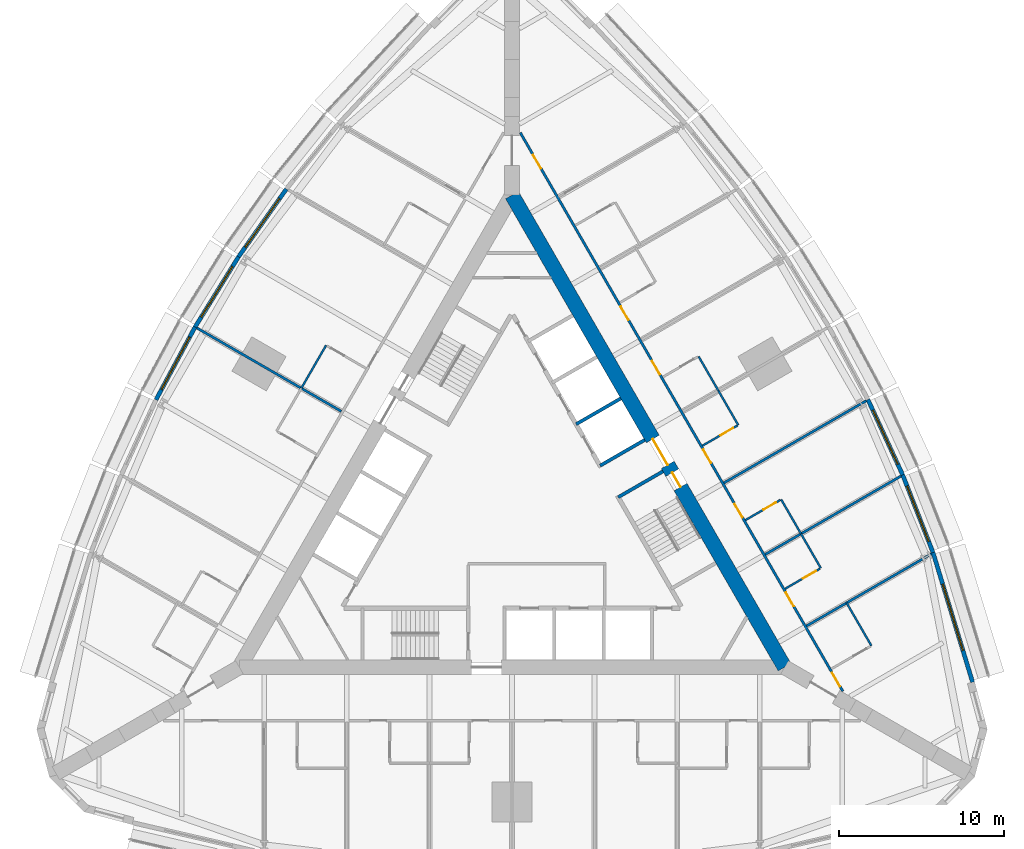
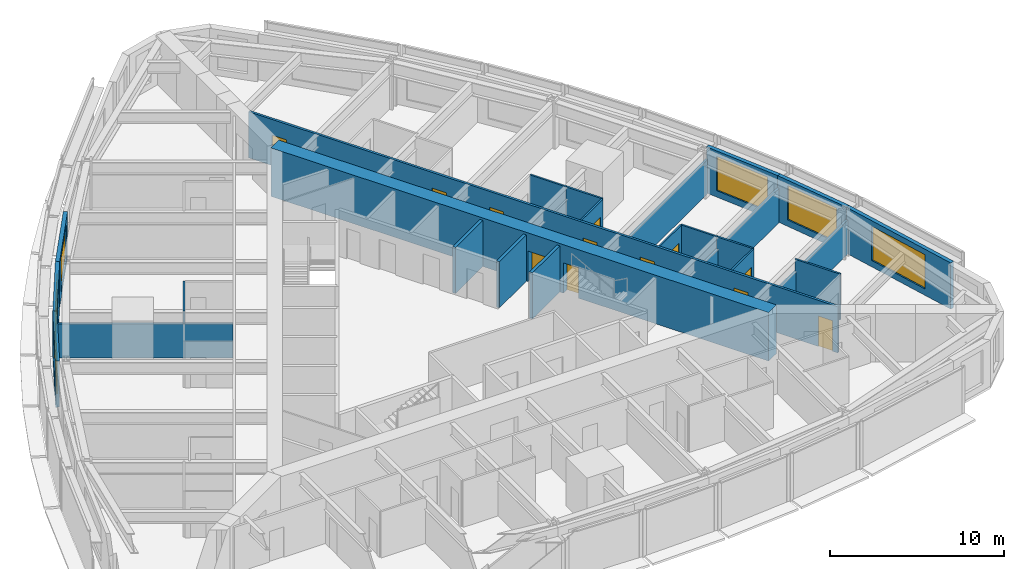
# One storey, part 11 of 14: 24 walls, 12 doors, 6 windows, 18 openings.
"""IFC4 building model written with IfcOpenShell, lengths in metres."""

from ifc_helpers import new_model, si_unit, direction, frame, frame_2d, origin, place, context, subcontext, project, spatial, rectangle, extrude, material, layer, layer_set, type_object, element, fill, save


model = new_model("IFC4")

# Units and contexts
model_context = context("Model", 3, precision=1e-05, world=origin(), true_north=direction((0.0, 1.0)))
body_context = subcontext(model_context, "Body", "Model", "MODEL_VIEW")
ifc_project = project(units=[si_unit("LENGTHUNIT", "METRE"), si_unit("AREAUNIT", "SQUARE_METRE"), si_unit("VOLUMEUNIT", "CUBIC_METRE"), si_unit("PLANEANGLEUNIT", "RADIAN"), si_unit("MASSUNIT", "GRAM", prefix="KILO")], contexts=[model_context])

# Site, building, storey
site_placement = place(None, origin())
site = spatial("IfcSite", under=ifc_project, at=site_placement, CompositionType="ELEMENT")
building_placement = place(site_placement, origin())
building = spatial("IfcBuilding", under=site, at=building_placement, Name="Trikona Tower", CompositionType="ELEMENT")
storey_placement = place(building_placement, frame((0.0, 0.0, 35.300048828125)))
storey = spatial("IfcBuildingStorey", under=building, at=storey_placement, Name="L07", CompositionType="ELEMENT", Elevation=35.300048828125)

# Walls
ifc_material_1 = material(Name="Metal stud and cement board", Category="gypsum")
ifc_layer_1 = layer(ifc_material_1, 0.1201171875)
ifc_layer_set_1 = layer_set([ifc_layer_1], Name="Bathroom wall 120")
wall_type_1 = type_object("IfcWallType", Name="Bathroom wall 120", PredefinedType="PLUMBINGWALL", material=ifc_layer_set_1)
wall_1_placement = place(storey_placement, frame((21.75341796875, -8.225341796875, 0.0), z_axis=(0.0, 0.0, 1.0), x_axis=(-0.499990139034, 0.866031096941, 0.0)))
element("IfcWall", 1, at=wall_1_placement, inside=storey, type_object=wall_type_1, Name="Bathroom wall 0707", PredefinedType="PLUMBINGWALL", context=body_context, shape_type="SweptSolid", body=[
    extrude(rectangle(XDim=3.0, YDim=0.1201171875, at=frame_2d((1.5, 0.0))), origin(), (0.0, 0.0, 1.0), 3.23486328125),
])
wall_2_placement = place(storey_placement, frame((18.693603515625, -3.525634765625, 0.0), z_axis=(0.0, 0.0, 1.0), x_axis=(-0.500033551112, 0.866006032174, 0.0)))
element("IfcWall", 2, at=wall_2_placement, inside=storey, type_object=wall_type_1, Name="Bathroom wall 0708", PredefinedType="PLUMBINGWALL", context=body_context, shape_type="SweptSolid", body=[
    extrude(rectangle(XDim=2.400146484375, YDim=0.1201171875, at=frame_2d((1.2001953125, 0.0))), origin(), (0.0, 0.0, 1.0), 3.23486328125),
])

# Wall, opening, door
wall_3_placement = place(storey_placement, frame((16.528564453125, -4.775634765625, 0.0), z_axis=(0.0, 0.0, 1.0), x_axis=(0.866023955769, 0.500002508028, 0.0)))
wall_3 = element("IfcWall", 3, at=wall_3_placement, inside=storey, type_object=wall_type_1, Name="Bathroom wall 0708", PredefinedType="PLUMBINGWALL", context=body_context, shape_type="SweptSolid", body=[
    extrude(rectangle(XDim=2.43994140625, YDim=0.1201171875, at=frame_2d((1.219970703125, 0.0))), origin(), (0.0, 0.0, 1.0), 3.23486328125),
])
opening_1_placement = place(wall_3_placement, frame((1.25, 0.0, 0.0)))
opening_1 = element("IfcOpeningElement", 4, at=opening_1_placement, cuts=wall_3, Name="Opening D2", PredefinedType="OPENING", context=body_context, shape_type="SweptSolid", body=[
    extrude(rectangle(XDim=0.89990234375, YDim=2.1298828125, at=frame_2d((0.449951171875, 1.06494140625))), frame((0.0, 0.070068359375, 0.0), z_axis=(0.0, -1.0, 0.0), x_axis=(1.0, 0.0, 0.0)), (0.0, 0.0, 1.0), 0.14013671875),
])
ifc_material_2 = material(Name="Steel door frame with solid-core timber leaf", Category="steel")
door_type_1 = type_object("IfcDoorType", Name="Bathroom door 900x2130", OperationType="SLIDING_TO_LEFT", PredefinedType="DOOR", material=ifc_material_2)
door_1_placement = place(opening_1_placement, origin())
door_1 = element("IfcDoor", 5, at=door_1_placement, inside=storey, type_object=door_type_1, Name="Bathroom door 0708", OperationType="SLIDING_TO_LEFT", OverallHeight=2.1298828125, OverallWidth=0.89990234375, PredefinedType="DOOR", context=body_context, shape_type="SweptSolid", body=[
    extrude(rectangle(XDim=0.89990234375, YDim=2.1298828125, at=frame_2d((0.449951171875, 1.06494140625))), frame((0.0, 0.02490234375, 0.0), z_axis=(0.0, -1.0, 0.0), x_axis=(1.0, 0.0, 0.0)), (0.0, 0.0, 1.0), 0.050048828125),
])
fill(opening_1, door_1)

# Wall
wall_4_placement = place(storey_placement, frame((17.493408203125, -1.447021484375, 0.0), z_axis=(0.0, 0.0, 1.0), x_axis=(-0.500001309137, 0.866024647952, 0.0)))
element("IfcWall", 6, at=wall_4_placement, inside=storey, type_object=wall_type_1, Name="Bathroom wall 0709", PredefinedType="PLUMBINGWALL", context=body_context, shape_type="SweptSolid", body=[
    extrude(rectangle(XDim=2.39990234375, YDim=0.1201171875, at=frame_2d((1.199951171875, 0.0))), origin(), (0.0, 0.0, 1.0), 3.23486328125),
])

# Wall, opening, door
wall_5_placement = place(storey_placement, frame((14.12841796875, -0.61865234375, 0.0), z_axis=(0.0, 0.0, 1.0), x_axis=(0.866048967903, 0.499959183527, 0.0)))
wall_5 = element("IfcWall", 7, at=wall_5_placement, inside=storey, type_object=wall_type_1, Name="Bathroom wall 0709", PredefinedType="PLUMBINGWALL", context=body_context, shape_type="SweptSolid", body=[
    extrude(rectangle(XDim=2.440185546875, YDim=0.1201171875, at=frame_2d((1.22021484375, 0.0))), origin(), (0.0, 0.0, 1.0), 3.23486328125),
])
opening_2_placement = place(wall_5_placement, frame((1.25, 0.0, 0.0)))
opening_2 = element("IfcOpeningElement", 8, at=opening_2_placement, cuts=wall_5, Name="Opening D2", PredefinedType="OPENING", context=body_context, shape_type="SweptSolid", body=[
    extrude(rectangle(XDim=0.89990234375, YDim=2.1298828125, at=frame_2d((0.449951171875, 1.06494140625))), frame((0.0, 0.070068359375, 0.0), z_axis=(0.0, -1.0, 0.0), x_axis=(1.0, 0.0, 0.0)), (0.0, 0.0, 1.0), 0.14013671875),
])
door_2_placement = place(opening_2_placement, origin())
door_2 = element("IfcDoor", 9, at=door_2_placement, inside=storey, type_object=door_type_1, Name="Bathroom door 0709", OperationType="SLIDING_TO_LEFT", OverallHeight=2.1298828125, OverallWidth=0.89990234375, PredefinedType="DOOR", context=body_context, shape_type="SweptSolid", body=[
    extrude(rectangle(XDim=0.89990234375, YDim=2.1298828125, at=frame_2d((0.449951171875, 1.06494140625))), frame((0.0, 0.02490234375, 0.0), z_axis=(0.0, -1.0, 0.0), x_axis=(1.0, 0.0, 0.0)), (0.0, 0.0, 1.0), 0.050048828125),
])
fill(opening_2, door_2)

# Wall
wall_6_placement = place(storey_placement, frame((13.693603515625, 5.134765625, 0.0), z_axis=(0.0, 0.0, 1.0), x_axis=(-0.500077600433, 0.865980596518, 0.0)))
element("IfcWall", 10, at=wall_6_placement, inside=storey, type_object=wall_type_1, Name="Bathroom wall 0710", PredefinedType="PLUMBINGWALL", context=body_context, shape_type="SweptSolid", body=[
    extrude(rectangle(XDim=2.39990234375, YDim=0.1201171875, at=frame_2d((1.199951171875, 0.0))), origin(), (0.0, 0.0, 1.0), 3.23486328125),
])

# Wall, opening, door
wall_7_placement = place(storey_placement, frame((11.528564453125, 3.884765625, 0.0), z_axis=(0.0, 0.0, 1.0), x_axis=(0.866023955769, 0.500002508028, 0.0)))
wall_7 = element("IfcWall", 11, at=wall_7_placement, inside=storey, type_object=wall_type_1, Name="Bathroom wall 0710", PredefinedType="PLUMBINGWALL", context=body_context, shape_type="SweptSolid", body=[
    extrude(rectangle(XDim=2.43994140625, YDim=0.1201171875, at=frame_2d((1.219970703125, 0.0))), origin(), (0.0, 0.0, 1.0), 3.23486328125),
])
opening_3_placement = place(wall_7_placement, frame((1.25, 0.0, 0.0)))
opening_3 = element("IfcOpeningElement", 12, at=opening_3_placement, cuts=wall_7, Name="Opening D2", PredefinedType="OPENING", context=body_context, shape_type="SweptSolid", body=[
    extrude(rectangle(XDim=0.89990234375, YDim=2.1298828125, at=frame_2d((0.449951171875, 1.06494140625))), frame((0.0, 0.070068359375, 0.0), z_axis=(0.0, -1.0, 0.0), x_axis=(1.0, 0.0, 0.0)), (0.0, 0.0, 1.0), 0.14013671875),
])
door_3_placement = place(opening_3_placement, origin())
door_3 = element("IfcDoor", 13, at=door_3_placement, inside=storey, type_object=door_type_1, Name="Bathroom door 0710", OperationType="SLIDING_TO_LEFT", OverallHeight=2.1298828125, OverallWidth=0.89990234375, PredefinedType="DOOR", context=body_context, shape_type="SweptSolid", body=[
    extrude(rectangle(XDim=0.89990234375, YDim=2.1298828125, at=frame_2d((0.449951171875, 1.06494140625))), frame((0.0, 0.02490234375, 0.0), z_axis=(0.0, -1.0, 0.0), x_axis=(1.0, 0.0, 0.0)), (0.0, 0.0, 1.0), 0.050048828125),
])
fill(opening_3, door_3)

# Walls
wall_8_placement = place(storey_placement, frame((12.493408203125, 7.213134765625, 0.0), z_axis=(0.0, 0.0, 1.0), x_axis=(-0.500001309137, 0.866024647952, 0.0)))
element("IfcWall", 14, at=wall_8_placement, inside=storey, type_object=wall_type_1, Name="Bathroom wall 0711", PredefinedType="PLUMBINGWALL", context=body_context, shape_type="SweptSolid", body=[
    extrude(rectangle(XDim=2.39990234375, YDim=0.1201171875, at=frame_2d((1.199951171875, 0.0))), origin(), (0.0, 0.0, 1.0), 3.23486328125),
])
wall_9_placement = place(storey_placement, frame((-11.25341796875, 9.961181640625, 0.0), z_axis=(0.0, 0.0, 1.0), x_axis=(-0.499990139034, -0.866031096941, 0.0)))
element("IfcWall", 15, at=wall_9_placement, inside=storey, type_object=wall_type_1, Name="Bathroom wall 0715", PredefinedType="PLUMBINGWALL", context=body_context, shape_type="SweptSolid", body=[
    extrude(rectangle(XDim=3.0, YDim=0.1201171875, at=frame_2d((1.5, 0.0))), origin(), (0.0, 0.0, 1.0), 3.23486328125),
])

# Wall, openings, doors
ifc_material_3 = material(Name="Concrete f'c 10000 psi", Category="concrete")
ifc_layer_2 = layer(ifc_material_3, 0.89990234375)
ifc_layer_set_2 = layer_set([ifc_layer_2], Name="Core wall 900")
wall_type_2 = type_object("IfcWallType", Name="Core wall 900", PredefinedType="SHEAR", material=ifc_layer_set_2)
wall_10_placement = place(storey_placement, frame((16.5, -9.5263671875, 0.0), z_axis=(0.0, 0.0, 1.0), x_axis=(-0.499999749417, 0.866025548458, 0.0)))
wall_10 = element("IfcWall", 16, at=wall_10_placement, inside=storey, type_object=wall_type_2, Name="Core wall B", PredefinedType="SHEAR", context=body_context, shape_type="SweptSolid", body=[
    extrude(rectangle(XDim=33.0, YDim=0.89990234375, at=frame_2d((16.5, 0.0))), origin(), (0.0, 0.0, 1.0), 3.39990234375),
])
opening_4_placement = place(wall_10_placement, frame((14.14990234375, 0.0, 0.0)))
opening_4 = element("IfcOpeningElement", 17, at=opening_4_placement, cuts=wall_10, Name="Opening D6", PredefinedType="OPENING", context=body_context, shape_type="SweptSolid", body=[
    extrude(rectangle(XDim=1.800048828125, YDim=2.1298828125, at=frame_2d((0.89990234375, 1.06494140625))), frame((0.0, 0.4599609375, 0.0), z_axis=(0.0, -1.0, 0.0), x_axis=(1.0, 0.0, 0.0)), (0.0, 0.0, 1.0), 0.919921875),
])
opening_5_placement = place(wall_10_placement, frame((12.60009765625, 0.0, 0.0)))
opening_5 = element("IfcOpeningElement", 18, at=opening_5_placement, cuts=wall_10, Name="Opening D5", PredefinedType="OPENING", context=body_context, shape_type="SweptSolid", body=[
    extrude(rectangle(XDim=1.0, YDim=2.1298828125, at=frame_2d((0.5, 1.06494140625))), frame((0.0, 0.4599609375, 0.0), z_axis=(0.0, -1.0, 0.0), x_axis=(1.0, 0.0, 0.0)), (0.0, 0.0, 1.0), 0.919921875),
])
ifc_material_4 = material(Name="Hollow metal door and frame", Category="steel")
door_type_2 = type_object("IfcDoorType", Name="Lobby door pair 1800x2130", OperationType="DOUBLE_DOOR_SINGLE_SWING", PredefinedType="DOOR", material=ifc_material_4)
door_4_placement = place(opening_4_placement, origin())
door_4 = element("IfcDoor", 19, at=door_4_placement, inside=storey, type_object=door_type_2, Name="Lift lobby door B", OperationType="DOUBLE_DOOR_SINGLE_SWING", OverallHeight=2.1298828125, OverallWidth=1.800048828125, PredefinedType="DOOR", context=body_context, shape_type="SweptSolid", body=[
    extrude(rectangle(XDim=1.800048828125, YDim=2.1298828125, at=frame_2d((0.89990234375, 1.06494140625))), frame((0.0, 0.02490234375, 0.0), z_axis=(0.0, -1.0, 0.0), x_axis=(1.0, 0.0, 0.0)), (0.0, 0.0, 1.0), 0.050048828125),
])
fill(opening_4, door_4)
ifc_material_5 = material(Name="Hollow metal door and frame", Category="steel")
door_type_3 = type_object("IfcDoorType", Name="Stair door 1000x2130", OperationType="SINGLE_SWING_LEFT", PredefinedType="DOOR", material=ifc_material_5)
door_5_placement = place(opening_5_placement, origin())
door_5 = element("IfcDoor", 20, at=door_5_placement, inside=storey, type_object=door_type_3, Name="Stair B door", OperationType="SINGLE_SWING_RIGHT", OverallHeight=2.1298828125, OverallWidth=1.0, PredefinedType="DOOR", context=body_context, shape_type="SweptSolid", body=[
    extrude(rectangle(XDim=1.0, YDim=2.1298828125, at=frame_2d((0.5, 1.06494140625))), frame((0.0, 0.02490234375, 0.0), z_axis=(0.0, -1.0, 0.0), x_axis=(1.0, 0.0, 0.0)), (0.0, 0.0, 1.0), 0.050048828125),
])
fill(opening_5, door_5)

ifc_material_6 = material(Name="Metal stud and gypsum board, 1-hour", Category="gypsum")
ifc_layer_3 = layer(ifc_material_6, 0.14990234375)
ifc_layer_set_3 = layer_set([ifc_layer_3], Name="Corridor wall 150")
wall_type_3 = type_object("IfcWallType", Name="Corridor wall 150", PredefinedType="PARTITIONING", material=ifc_layer_set_3)
wall_11_placement = place(storey_placement, frame((20.027099609375, -10.9853515625, 0.0), z_axis=(0.0, 0.0, 1.0), x_axis=(-0.500001677587, 0.866024435227, 0.0)))
wall_11 = element("IfcWall", 21, at=wall_11_placement, inside=storey, type_object=wall_type_3, Name="Corridor wall L07-2", PredefinedType="PARTITIONING", context=body_context, shape_type="SweptSolid", body=[
    extrude(rectangle(XDim=39.053955078125, YDim=0.14990234375, at=frame_2d((19.52685546875, 0.0))), origin(), (0.0, 0.0, 1.0), 3.23486328125),
])
opening_6_placement = place(wall_11_placement, frame((0.35205078125, 0.0, 0.0)))
opening_6 = element("IfcOpeningElement", 22, at=opening_6_placement, cuts=wall_11, Name="Opening D1", PredefinedType="OPENING", context=body_context, shape_type="SweptSolid", body=[
    extrude(rectangle(XDim=0.949951171875, YDim=2.1298828125, at=frame_2d((0.47509765625, 1.06494140625))), frame((0.0, 0.0849609375, 0.0), z_axis=(0.0, -1.0, 0.0), x_axis=(1.0, 0.0, 0.0)), (0.0, 0.0, 1.0), 0.169921875),
])
opening_7_placement = place(wall_11_placement, frame((5.951904296875, 0.0, 0.0)))
opening_7 = element("IfcOpeningElement", 23, at=opening_7_placement, cuts=wall_11, Name="Opening D1", PredefinedType="OPENING", context=body_context, shape_type="SweptSolid", body=[
    extrude(rectangle(XDim=0.949951171875, YDim=2.1298828125, at=frame_2d((0.47509765625, 1.06494140625))), frame((0.0, 0.0849609375, 0.0), z_axis=(0.0, -1.0, 0.0), x_axis=(1.0, 0.0, 0.0)), (0.0, 0.0, 1.0), 0.169921875),
])
opening_8_placement = place(wall_11_placement, frame((12.152099609375, 0.0, 0.0)))
opening_8 = element("IfcOpeningElement", 24, at=opening_8_placement, cuts=wall_11, Name="Opening D1", PredefinedType="OPENING", context=body_context, shape_type="SweptSolid", body=[
    extrude(rectangle(XDim=0.949951171875, YDim=2.1298828125, at=frame_2d((0.47509765625, 1.06494140625))), frame((0.0, 0.0849609375, 0.0), z_axis=(0.0, -1.0, 0.0), x_axis=(1.0, 0.0, 0.0)), (0.0, 0.0, 1.0), 0.169921875),
])
opening_9_placement = place(wall_11_placement, frame((15.951904296875, 0.0, 0.0)))
opening_9 = element("IfcOpeningElement", 25, at=opening_9_placement, cuts=wall_11, Name="Opening D1", PredefinedType="OPENING", context=body_context, shape_type="SweptSolid", body=[
    extrude(rectangle(XDim=0.949951171875, YDim=2.1298828125, at=frame_2d((0.47509765625, 1.06494140625))), frame((0.0, 0.0849609375, 0.0), z_axis=(0.0, -1.0, 0.0), x_axis=(1.0, 0.0, 0.0)), (0.0, 0.0, 1.0), 0.169921875),
])
opening_10_placement = place(wall_11_placement, frame((22.152099609375, 0.0, 0.0)))
opening_10 = element("IfcOpeningElement", 26, at=opening_10_placement, cuts=wall_11, Name="Opening D1", PredefinedType="OPENING", context=body_context, shape_type="SweptSolid", body=[
    extrude(rectangle(XDim=0.949951171875, YDim=2.1298828125, at=frame_2d((0.47509765625, 1.06494140625))), frame((0.0, 0.0849609375, 0.0), z_axis=(0.0, -1.0, 0.0), x_axis=(1.0, 0.0, 0.0)), (0.0, 0.0, 1.0), 0.169921875),
])
opening_11_placement = place(wall_11_placement, frame((25.951904296875, 0.0, 0.0)))
opening_11 = element("IfcOpeningElement", 27, at=opening_11_placement, cuts=wall_11, Name="Opening D1", PredefinedType="OPENING", context=body_context, shape_type="SweptSolid", body=[
    extrude(rectangle(XDim=0.949951171875, YDim=2.1298828125, at=frame_2d((0.47509765625, 1.06494140625))), frame((0.0, 0.0849609375, 0.0), z_axis=(0.0, -1.0, 0.0), x_axis=(1.0, 0.0, 0.0)), (0.0, 0.0, 1.0), 0.169921875),
])
opening_12_placement = place(wall_11_placement, frame((36.545654296875, 0.0, 0.0)))
opening_12 = element("IfcOpeningElement", 28, at=opening_12_placement, cuts=wall_11, Name="Opening D1", PredefinedType="OPENING", context=body_context, shape_type="SweptSolid", body=[
    extrude(rectangle(XDim=0.949951171875, YDim=2.1298828125, at=frame_2d((0.47509765625, 1.06494140625))), frame((0.0, 0.0849609375, 0.0), z_axis=(0.0, -1.0, 0.0), x_axis=(1.0, 0.0, 0.0)), (0.0, 0.0, 1.0), 0.169921875),
])
ifc_material_7 = material(Name="Steel door frame with solid-core timber leaf", Category="steel")
door_type_4 = type_object("IfcDoorType", Name="Guest room door 950x2130", OperationType="SINGLE_SWING_LEFT", PredefinedType="DOOR", material=ifc_material_7)
door_6_placement = place(opening_6_placement, origin())
door_6 = element("IfcDoor", 29, at=door_6_placement, inside=storey, type_object=door_type_4, Name="Room door 0707", OperationType="SINGLE_SWING_LEFT", OverallHeight=2.1298828125, OverallWidth=0.949951171875, PredefinedType="DOOR", context=body_context, shape_type="SweptSolid", body=[
    extrude(rectangle(XDim=0.949951171875, YDim=2.1298828125, at=frame_2d((0.47509765625, 1.06494140625))), frame((0.0, 0.02490234375, 0.0), z_axis=(0.0, -1.0, 0.0), x_axis=(1.0, 0.0, 0.0)), (0.0, 0.0, 1.0), 0.050048828125),
])
fill(opening_6, door_6)
door_7_placement = place(opening_7_placement, origin())
door_7 = element("IfcDoor", 30, at=door_7_placement, inside=storey, type_object=door_type_4, Name="Room door 0708", OperationType="SINGLE_SWING_RIGHT", OverallHeight=2.1298828125, OverallWidth=0.949951171875, PredefinedType="DOOR", context=body_context, shape_type="SweptSolid", body=[
    extrude(rectangle(XDim=0.949951171875, YDim=2.1298828125, at=frame_2d((0.47509765625, 1.06494140625))), frame((0.0, 0.02490234375, 0.0), z_axis=(0.0, -1.0, 0.0), x_axis=(1.0, 0.0, 0.0)), (0.0, 0.0, 1.0), 0.050048828125),
])
fill(opening_7, door_7)
door_8_placement = place(opening_8_placement, origin())
door_8 = element("IfcDoor", 31, at=door_8_placement, inside=storey, type_object=door_type_4, Name="Room door 0709", OperationType="SINGLE_SWING_LEFT", OverallHeight=2.1298828125, OverallWidth=0.949951171875, PredefinedType="DOOR", context=body_context, shape_type="SweptSolid", body=[
    extrude(rectangle(XDim=0.949951171875, YDim=2.1298828125, at=frame_2d((0.47509765625, 1.06494140625))), frame((0.0, 0.02490234375, 0.0), z_axis=(0.0, -1.0, 0.0), x_axis=(1.0, 0.0, 0.0)), (0.0, 0.0, 1.0), 0.050048828125),
])
fill(opening_8, door_8)
door_9_placement = place(opening_9_placement, origin())
door_9 = element("IfcDoor", 32, at=door_9_placement, inside=storey, type_object=door_type_4, Name="Room door 0710", OperationType="SINGLE_SWING_RIGHT", OverallHeight=2.1298828125, OverallWidth=0.949951171875, PredefinedType="DOOR", context=body_context, shape_type="SweptSolid", body=[
    extrude(rectangle(XDim=0.949951171875, YDim=2.1298828125, at=frame_2d((0.47509765625, 1.06494140625))), frame((0.0, 0.02490234375, 0.0), z_axis=(0.0, -1.0, 0.0), x_axis=(1.0, 0.0, 0.0)), (0.0, 0.0, 1.0), 0.050048828125),
])
fill(opening_9, door_9)
door_10_placement = place(opening_10_placement, origin())
door_10 = element("IfcDoor", 33, at=door_10_placement, inside=storey, type_object=door_type_4, Name="Room door 0711", OperationType="SINGLE_SWING_LEFT", OverallHeight=2.1298828125, OverallWidth=0.949951171875, PredefinedType="DOOR", context=body_context, shape_type="SweptSolid", body=[
    extrude(rectangle(XDim=0.949951171875, YDim=2.1298828125, at=frame_2d((0.47509765625, 1.06494140625))), frame((0.0, 0.02490234375, 0.0), z_axis=(0.0, -1.0, 0.0), x_axis=(1.0, 0.0, 0.0)), (0.0, 0.0, 1.0), 0.050048828125),
])
fill(opening_10, door_10)
door_11_placement = place(opening_11_placement, origin())
door_11 = element("IfcDoor", 34, at=door_11_placement, inside=storey, type_object=door_type_4, Name="Room door 0712", OperationType="SINGLE_SWING_RIGHT", OverallHeight=2.1298828125, OverallWidth=0.949951171875, PredefinedType="DOOR", context=body_context, shape_type="SweptSolid", body=[
    extrude(rectangle(XDim=0.949951171875, YDim=2.1298828125, at=frame_2d((0.47509765625, 1.06494140625))), frame((0.0, 0.02490234375, 0.0), z_axis=(0.0, -1.0, 0.0), x_axis=(1.0, 0.0, 0.0)), (0.0, 0.0, 1.0), 0.050048828125),
])
fill(opening_11, door_11)
door_12_placement = place(opening_12_placement, origin())
door_12 = element("IfcDoor", 35, at=door_12_placement, inside=storey, type_object=door_type_4, Name="Room door 0713", OperationType="SINGLE_SWING_RIGHT", OverallHeight=2.1298828125, OverallWidth=0.949951171875, PredefinedType="DOOR", context=body_context, shape_type="SweptSolid", body=[
    extrude(rectangle(XDim=0.949951171875, YDim=2.1298828125, at=frame_2d((0.47509765625, 1.06494140625))), frame((0.0, 0.02490234375, 0.0), z_axis=(0.0, -1.0, 0.0), x_axis=(1.0, 0.0, 0.0)), (0.0, 0.0, 1.0), 0.050048828125),
])
fill(opening_12, door_12)

# Wall, opening, window
ifc_material_8 = material(Name="Insulated precast concrete spandrel panel", Category="concrete")
ifc_layer_4 = layer(ifc_material_8, 0.25)
ifc_layer_set_4 = layer_set([ifc_layer_4], Name="Inner skin wall 250")
wall_type_4 = type_object("IfcWallType", Name="Inner skin wall 250", PredefinedType="STANDARD", material=ifc_layer_set_4)
wall_12_placement = place(storey_placement, frame((27.88037109375, -10.4287109375, 0.0), z_axis=(0.0, 0.0, 1.0), x_axis=(-0.2919790669, 0.956424709265, 0.0)))
wall_12 = element("IfcWall", 36, at=wall_12_placement, inside=storey, type_object=wall_type_4, Name="External wall L07-12", PredefinedType="STANDARD", context=body_context, shape_type="SweptSolid", body=[
    extrude(rectangle(XDim=8.211181640625, YDim=0.25, at=frame_2d((4.10546875, 0.0))), origin(), (0.0, 0.0, 1.0), 3.23486328125),
])
opening_13_placement = place(wall_12_placement, frame((2.005615234375, 0.0, 0.449951171875)))
opening_13 = element("IfcOpeningElement", 37, at=opening_13_placement, cuts=wall_12, Name="Opening W4224", PredefinedType="OPENING", context=body_context, shape_type="SweptSolid", body=[
    extrude(rectangle(XDim=4.199951171875, YDim=2.39990234375, at=frame_2d((2.10009765625, 1.199951171875))), frame((0.0, 0.135009765625, 0.0), z_axis=(0.0, -1.0, 0.0), x_axis=(1.0, 0.0, 0.0)), (0.0, 0.0, 1.0), 0.27001953125),
])
ifc_material_9 = material(Name="Aluminium-framed double glazing", Category="aluminium")
window_type_1 = type_object("IfcWindowType", Name="Window 4200x2400", PartitioningType="SINGLE_PANEL", PredefinedType="WINDOW", material=ifc_material_9)
window_1_placement = place(opening_13_placement, origin())
window_1 = element("IfcWindow", 38, at=window_1_placement, inside=storey, type_object=window_type_1, Name="Window 0707", OverallHeight=2.39990234375, OverallWidth=4.199951171875, PartitioningType="SINGLE_PANEL", PredefinedType="WINDOW", context=body_context, shape_type="SweptSolid", body=[
    extrude(rectangle(XDim=4.199951171875, YDim=2.39990234375, at=frame_2d((2.10009765625, 1.199951171875))), frame((0.0, 0.030029296875, 0.0), z_axis=(0.0, -1.0, 0.0), x_axis=(1.0, 0.0, 0.0)), (0.0, 0.0, 1.0), 0.06005859375),
])
fill(opening_13, window_1)

wall_13_placement = place(storey_placement, frame((25.486083984375, -2.58447265625, 0.0), z_axis=(0.0, 0.0, 1.0), x_axis=(-0.364013463868, 0.931393685894, 0.0)))
wall_13 = element("IfcWall", 39, at=wall_13_placement, inside=storey, type_object=wall_type_4, Name="External wall L07-13", PredefinedType="STANDARD", context=body_context, shape_type="SweptSolid", body=[
    extrude(rectangle(XDim=5.0576171875, YDim=0.25, at=frame_2d((2.52880859375, 0.0))), origin(), (0.0, 0.0, 1.0), 3.23486328125),
])
opening_14_placement = place(wall_13_placement, frame((0.728759765625, 0.0, 0.449951171875)))
opening_14 = element("IfcOpeningElement", 40, at=opening_14_placement, cuts=wall_13, Name="Opening W3624", PredefinedType="OPENING", context=body_context, shape_type="SweptSolid", body=[
    extrude(rectangle(XDim=3.60009765625, YDim=2.39990234375, at=frame_2d((1.800048828125, 1.199951171875))), frame((0.0, 0.135009765625, 0.0), z_axis=(0.0, -1.0, 0.0), x_axis=(1.0, 0.0, 0.0)), (0.0, 0.0, 1.0), 0.27001953125),
])
ifc_material_10 = material(Name="Aluminium-framed double glazing", Category="aluminium")
window_type_2 = type_object("IfcWindowType", Name="Window 3600x2400", PartitioningType="SINGLE_PANEL", PredefinedType="WINDOW", material=ifc_material_10)
window_2_placement = place(opening_14_placement, origin())
window_2 = element("IfcWindow", 41, at=window_2_placement, inside=storey, type_object=window_type_2, Name="Window 0708", OverallHeight=2.39990234375, OverallWidth=3.60009765625, PartitioningType="SINGLE_PANEL", PredefinedType="WINDOW", context=body_context, shape_type="SweptSolid", body=[
    extrude(rectangle(XDim=3.60009765625, YDim=2.39990234375, at=frame_2d((1.800048828125, 1.199951171875))), frame((0.0, 0.030029296875, 0.0), z_axis=(0.0, -1.0, 0.0), x_axis=(1.0, 0.0, 0.0)), (0.0, 0.0, 1.0), 0.06005859375),
])
fill(opening_14, window_2)

wall_14_placement = place(storey_placement, frame((23.64794921875, 2.119384765625, 0.0), z_axis=(0.0, 0.0, 1.0), x_axis=(-0.419203100754, 0.907892482796, 0.0)))
wall_14 = element("IfcWall", 42, at=wall_14_placement, inside=storey, type_object=wall_type_4, Name="External wall L07-14", PredefinedType="STANDARD", context=body_context, shape_type="SweptSolid", body=[
    extrude(rectangle(XDim=5.020751953125, YDim=0.25, at=frame_2d((2.51025390625, 0.0))), origin(), (0.0, 0.0, 1.0), 3.23486328125),
])
opening_15_placement = place(wall_14_placement, frame((0.71044921875, 0.0, 0.449951171875)))
opening_15 = element("IfcOpeningElement", 43, at=opening_15_placement, cuts=wall_14, Name="Opening W3624", PredefinedType="OPENING", context=body_context, shape_type="SweptSolid", body=[
    extrude(rectangle(XDim=3.60009765625, YDim=2.39990234375, at=frame_2d((1.800048828125, 1.199951171875))), frame((0.0, 0.135009765625, 0.0), z_axis=(0.0, -1.0, 0.0), x_axis=(1.0, 0.0, 0.0)), (0.0, 0.0, 1.0), 0.27001953125),
])
window_3_placement = place(opening_15_placement, origin())
window_3 = element("IfcWindow", 44, at=window_3_placement, inside=storey, type_object=window_type_2, Name="Window 0709", OverallHeight=2.39990234375, OverallWidth=3.60009765625, PartitioningType="SINGLE_PANEL", PredefinedType="WINDOW", context=body_context, shape_type="SweptSolid", body=[
    extrude(rectangle(XDim=3.60009765625, YDim=2.39990234375, at=frame_2d((1.800048828125, 1.199951171875))), frame((0.0, 0.030029296875, 0.0), z_axis=(0.0, -1.0, 0.0), x_axis=(1.0, 0.0, 0.0)), (0.0, 0.0, 1.0), 0.06005859375),
])
fill(opening_15, window_3)

wall_15_placement = place(storey_placement, frame((-13.659423828125, 19.420166015625, 0.0), z_axis=(0.0, 0.0, 1.0), x_axis=(-0.5766431066, -0.81699616132, 0.0)))
wall_15 = element("IfcWall", 45, at=wall_15_placement, inside=storey, type_object=wall_type_4, Name="External wall L07-26", PredefinedType="STANDARD", context=body_context, shape_type="SweptSolid", body=[
    extrude(rectangle(XDim=5.02099609375, YDim=0.25, at=frame_2d((2.510498046875, 0.0))), origin(), (0.0, 0.0, 1.0), 3.23486328125),
])
opening_16_placement = place(wall_15_placement, frame((0.71044921875, 0.0, 0.449951171875)))
opening_16 = element("IfcOpeningElement", 46, at=opening_16_placement, cuts=wall_15, Name="Opening W3624", PredefinedType="OPENING", context=body_context, shape_type="SweptSolid", body=[
    extrude(rectangle(XDim=3.60009765625, YDim=2.39990234375, at=frame_2d((1.800048828125, 1.199951171875))), frame((0.0, 0.135009765625, 0.0), z_axis=(0.0, -1.0, 0.0), x_axis=(1.0, 0.0, 0.0)), (0.0, 0.0, 1.0), 0.27001953125),
])
window_4_placement = place(opening_16_placement, origin())
window_4 = element("IfcWindow", 47, at=window_4_placement, inside=storey, type_object=window_type_2, Name="Window 0715", OverallHeight=2.39990234375, OverallWidth=3.60009765625, PartitioningType="SINGLE_PANEL", PredefinedType="WINDOW", context=body_context, shape_type="SweptSolid", body=[
    extrude(rectangle(XDim=3.60009765625, YDim=2.39990234375, at=frame_2d((1.800048828125, 1.199951171875))), frame((0.0, 0.030029296875, 0.0), z_axis=(0.0, -1.0, 0.0), x_axis=(1.0, 0.0, 0.0)), (0.0, 0.0, 1.0), 0.06005859375),
])
fill(opening_16, window_4)

wall_16_placement = place(storey_placement, frame((-16.550537109375, 15.324462890625, 0.0), z_axis=(0.0, 0.0, 1.0), x_axis=(-0.526132807704, -0.850402415717, 0.0)))
wall_16 = element("IfcWall", 48, at=wall_16_placement, inside=storey, type_object=wall_type_4, Name="External wall L07-27", PredefinedType="STANDARD", context=body_context, shape_type="SweptSolid", body=[
    extrude(rectangle(XDim=5.002197265625, YDim=0.25, at=frame_2d((2.5009765625, 0.0))), origin(), (0.0, 0.0, 1.0), 3.23486328125),
])
opening_17_placement = place(wall_16_placement, frame((0.701171875, 0.0, 0.449951171875)))
opening_17 = element("IfcOpeningElement", 49, at=opening_17_placement, cuts=wall_16, Name="Opening W3624", PredefinedType="OPENING", context=body_context, shape_type="SweptSolid", body=[
    extrude(rectangle(XDim=3.60009765625, YDim=2.39990234375, at=frame_2d((1.800048828125, 1.199951171875))), frame((0.0, 0.135009765625, 0.0), z_axis=(0.0, -1.0, 0.0), x_axis=(1.0, 0.0, 0.0)), (0.0, 0.0, 1.0), 0.27001953125),
])
window_5_placement = place(opening_17_placement, origin())
window_5 = element("IfcWindow", 50, at=window_5_placement, inside=storey, type_object=window_type_2, Name="Window 0715", OverallHeight=2.39990234375, OverallWidth=3.60009765625, PartitioningType="SINGLE_PANEL", PredefinedType="WINDOW", context=body_context, shape_type="SweptSolid", body=[
    extrude(rectangle(XDim=3.60009765625, YDim=2.39990234375, at=frame_2d((1.800048828125, 1.199951171875))), frame((0.0, 0.030029296875, 0.0), z_axis=(0.0, -1.0, 0.0), x_axis=(1.0, 0.0, 0.0)), (0.0, 0.0, 1.0), 0.06005859375),
])
fill(opening_17, window_5)

wall_17_placement = place(storey_placement, frame((-19.178466796875, 11.0771484375, 0.0), z_axis=(0.0, 0.0, 1.0), x_axis=(-0.473412820489, -0.880840678782, 0.0)))
wall_17 = element("IfcWall", 51, at=wall_17_placement, inside=storey, type_object=wall_type_4, Name="External wall L07-28", PredefinedType="STANDARD", context=body_context, shape_type="SweptSolid", body=[
    extrude(rectangle(XDim=5.00244140625, YDim=0.25, at=frame_2d((2.501220703125, 0.0))), origin(), (0.0, 0.0, 1.0), 3.23486328125),
])
opening_18_placement = place(wall_17_placement, frame((0.701171875, 0.0, 0.449951171875)))
opening_18 = element("IfcOpeningElement", 52, at=opening_18_placement, cuts=wall_17, Name="Opening W3624", PredefinedType="OPENING", context=body_context, shape_type="SweptSolid", body=[
    extrude(rectangle(XDim=3.60009765625, YDim=2.39990234375, at=frame_2d((1.800048828125, 1.199951171875))), frame((0.0, 0.135009765625, 0.0), z_axis=(0.0, -1.0, 0.0), x_axis=(1.0, 0.0, 0.0)), (0.0, 0.0, 1.0), 0.27001953125),
])
window_6_placement = place(opening_18_placement, origin())
window_6 = element("IfcWindow", 53, at=window_6_placement, inside=storey, type_object=window_type_2, Name="Window 0716", OverallHeight=2.39990234375, OverallWidth=3.60009765625, PartitioningType="SINGLE_PANEL", PredefinedType="WINDOW", context=body_context, shape_type="SweptSolid", body=[
    extrude(rectangle(XDim=3.60009765625, YDim=2.39990234375, at=frame_2d((1.800048828125, 1.199951171875))), frame((0.0, 0.030029296875, 0.0), z_axis=(0.0, -1.0, 0.0), x_axis=(1.0, 0.0, 0.0)), (0.0, 0.0, 1.0), 0.06005859375),
])
fill(opening_18, window_6)

# Walls
ifc_material_11 = material(Name="Metal stud and gypsum board, 1-hour acoustic", Category="gypsum")
ifc_layer_5 = layer(ifc_material_11, 0.14990234375)
ifc_layer_set_5 = layer_set([ifc_layer_5], Name="Party wall 150")
wall_type_5 = type_object("IfcWallType", Name="Party wall 150", PredefinedType="PARTITIONING", material=ifc_layer_set_5)
wall_18_placement = place(storey_placement, frame((17.82861328125, -7.027099609375, 0.0), z_axis=(0.0, 0.0, 1.0), x_axis=(0.866032659912, 0.499987431809, 0.0)))
element("IfcWall", 54, at=wall_18_placement, inside=storey, type_object=wall_type_5, Name="Partition L07 F2 u-15", PredefinedType="PARTITIONING", context=body_context, shape_type="SweptSolid", body=[
    extrude(rectangle(XDim=8.719970703125, YDim=0.14990234375, at=frame_2d((4.35986328125, 0.0))), origin(), (0.0, 0.0, 1.0), 2.38916015625),
])
wall_19_placement = place(storey_placement, frame((15.32861328125, -2.697021484375, 0.0), z_axis=(0.0, 0.0, 1.0), x_axis=(0.866018409083, 0.500012114982, 0.0)))
element("IfcWall", 55, at=wall_19_placement, inside=storey, type_object=wall_type_5, Name="Partition L07 F2 u-10", PredefinedType="PARTITIONING", context=body_context, shape_type="SweptSolid", body=[
    extrude(rectangle(XDim=9.484619140625, YDim=0.14990234375, at=frame_2d((4.7421875, 0.0))), origin(), (0.0, 0.0, 1.0), 2.38916015625),
])
wall_20_placement = place(storey_placement, frame((12.82861328125, 1.633056640625, 0.0), z_axis=(0.0, 0.0, 1.0), x_axis=(0.866026934769, 0.499997348248, 0.0)))
element("IfcWall", 56, at=wall_20_placement, inside=storey, type_object=wall_type_5, Name="Partition L07 F2 u-5", PredefinedType="PARTITIONING", context=body_context, shape_type="SweptSolid", body=[
    extrude(rectangle(XDim=9.94287109375, YDim=0.14990234375, at=frame_2d((4.971435546875, 0.0))), origin(), (0.0, 0.0, 1.0), 2.38916015625),
])
wall_21_placement = place(storey_placement, frame((-10.32861328125, 5.963134765625, 0.0), z_axis=(0.0, 0.0, 1.0), x_axis=(-0.866021688545, 0.500006434927, 0.0)))
element("IfcWall", 57, at=wall_21_placement, inside=storey, type_object=wall_type_5, Name="Partition L07 F3 u-5.10703e-15", PredefinedType="PARTITIONING", context=body_context, shape_type="SweptSolid", body=[
    extrude(rectangle(XDim=10.095947265625, YDim=0.14990234375, at=frame_2d((5.0478515625, 0.0))), origin(), (0.0, 0.0, 1.0), 2.38916015625),
])
ifc_material_12 = material(Name="Concrete f'c 8000 psi", Category="concrete")
ifc_layer_6 = layer(ifc_material_12, 0.199951171875)
ifc_layer_set_6 = layer_set([ifc_layer_6], Name="Shaft wall 200")
wall_type_6 = type_object("IfcWallType", Name="Shaft wall 200", PredefinedType="SOLIDWALL", material=ifc_layer_set_6)
for number, where, z_axis, x_axis, name in (
    (58, (5.3291015625, 2.672607421875, 0.0), (0.0, 0.0, 1.0), (0.866022959057, 0.500004234368, 0.0), "Shaft wall B3"),
    (59, (3.87890625, 5.18408203125, 0.0), (0.0, 0.0, 1.0), (0.866022959057, 0.500004234368, 0.0), "Shaft wall B4"),
):
    element("IfcWall", number, at=place(storey_placement, frame(where, z_axis=z_axis, x_axis=x_axis)), inside=storey, type_object=wall_type_6, Name=name, PredefinedType="SOLIDWALL", context=body_context, shape_type="SweptSolid", body=[
        extrude(rectangle(XDim=3.125, YDim=0.199951171875, at=frame_2d((1.5625, 0.0))), origin(), (0.0, 0.0, 1.0), 3.23486328125),
    ])
ifc_material_13 = material(Name="Concrete f'c 8000 psi", Category="concrete")
ifc_layer_7 = layer(ifc_material_13, 0.199951171875)
ifc_layer_set_7 = layer_set([ifc_layer_7], Name="Shaft wall 200 load-bearing")
wall_type_7 = type_object("IfcWallType", Name="Shaft wall 200 load-bearing", PredefinedType="SOLIDWALL", material=ifc_layer_set_7)
wall_22_placement = place(storey_placement, frame((6.428955078125, 0.767333984375, 0.0), z_axis=(0.0, 0.0, 1.0), x_axis=(0.866022959057, 0.500004234368, 0.0)))
element("IfcWall", 60, at=wall_22_placement, inside=storey, type_object=wall_type_7, Name="Shaft wall B2", PredefinedType="SOLIDWALL", context=body_context, shape_type="SweptSolid", body=[
    extrude(rectangle(XDim=3.125, YDim=0.199951171875, at=frame_2d((1.5625, 0.0))), origin(), (0.0, 0.0, 1.0), 3.23486328125),
])

save(model, "model.ifc")
